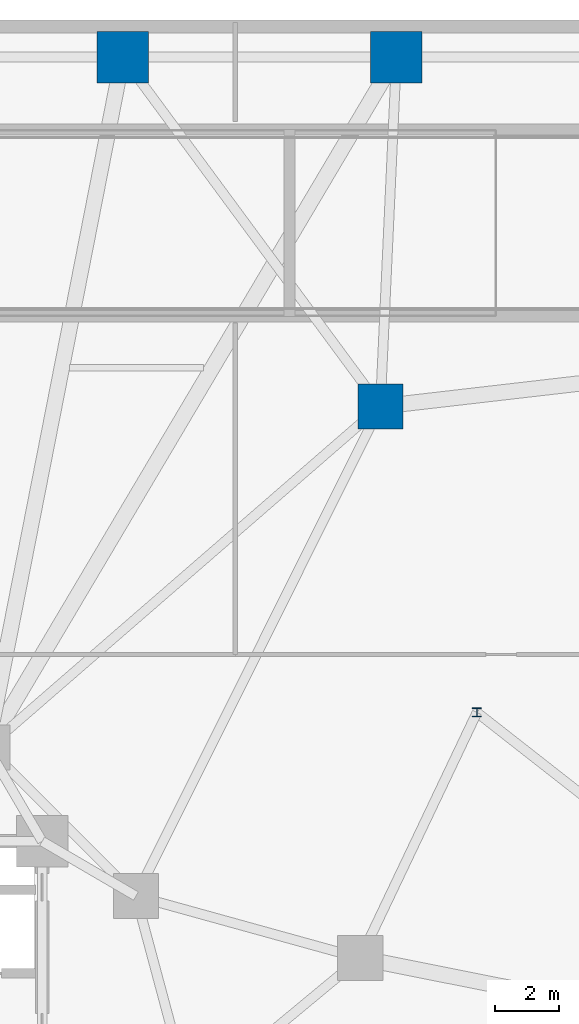
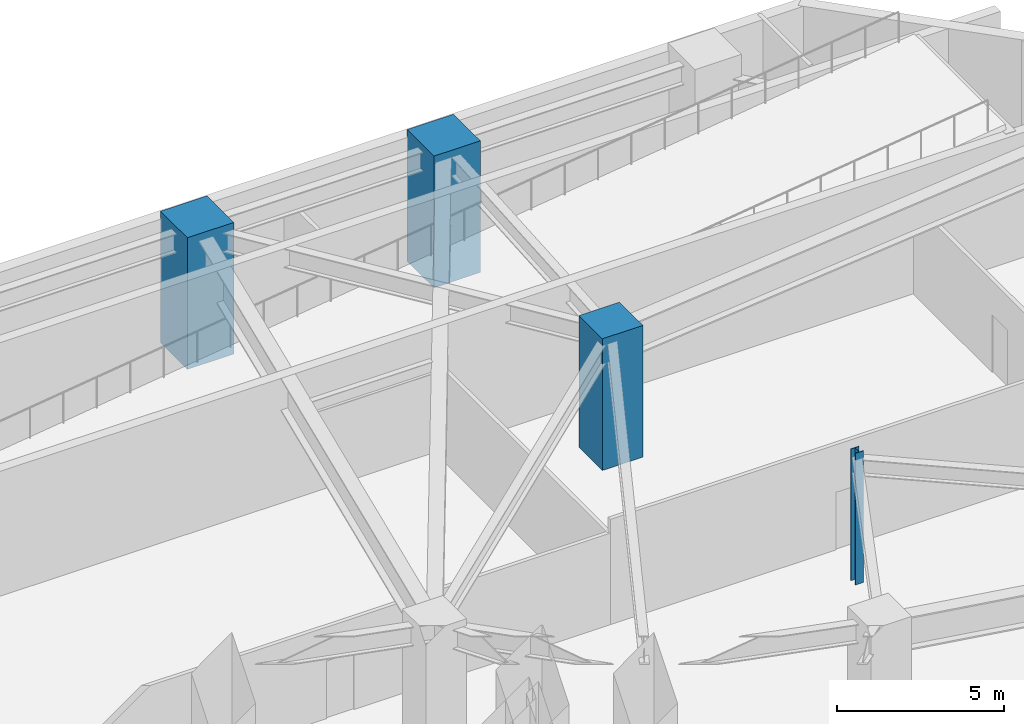
# One storey, part 6 of 18: 4 columns.
"""IFC4 building model written with IfcOpenShell, lengths in metres."""

from ifc_helpers import new_model, si_unit, direction, frame, origin, origin_2d, place, context, subcontext, project, spatial, rectangle, i_section, extrude, material, material_profile, profile_set, type_object, element, save


model = new_model("IFC4")

# Units and contexts
model_context = context("Model", 3, precision=1e-05, world=origin(), true_north=direction((0.0, 1.0)))
body_context = subcontext(model_context, "Body", "Model", "MODEL_VIEW")
ifc_project = project(units=[si_unit("LENGTHUNIT", "METRE"), si_unit("AREAUNIT", "SQUARE_METRE"), si_unit("VOLUMEUNIT", "CUBIC_METRE"), si_unit("PLANEANGLEUNIT", "RADIAN"), si_unit("MASSUNIT", "GRAM", prefix="KILO")], contexts=[model_context])

# Site, building, storey
site_placement = place(None, origin())
site = spatial("IfcSite", under=ifc_project, at=site_placement, CompositionType="ELEMENT")
building_placement = place(site_placement, origin())
building = spatial("IfcBuilding", under=site, at=building_placement, Name="Terralouvre Media Tower", CompositionType="ELEMENT")
storey_placement = place(building_placement, frame((0.0, 0.0, -4.800048828125)))
storey = spatial("IfcBuildingStorey", under=building, at=storey_placement, Name="B01", CompositionType="ELEMENT", Elevation=-4.800048828125)

# Columns
ifc_material_1 = material(Name="Structural steel S355J2", Category="steel")
ifc_material_profile_1 = material_profile(ifc_material_1, i_section(OverallWidth=0.280029296875, OverallDepth=0.280029296875, WebThickness=0.010498046875, FlangeThickness=0.01806640625, at=origin_2d()), Name="HEB 280")
ifc_profile_set_1 = profile_set([ifc_material_profile_1], Name="Structural steel S355J2")
column_type_1 = type_object("IfcColumnType", Name="Basement Aisle Pilaster PL-HEB280 (HEB 280)", PredefinedType="PILASTER", material=ifc_profile_set_1)
column_1_placement = place(storey_placement, frame((21.5, 12.0, 0.0), z_axis=(0.0, 0.0, 1.0), x_axis=(1.0, 0.0, 0.0)))
element("IfcColumn", 1, at=column_1_placement, inside=storey, type_object=column_type_1, Name="B01 Car-Park Aisle Pilaster A4", PredefinedType="PILASTER", context=body_context, shape_type="SweptSolid", body=[
    extrude(i_section(OverallWidth=0.280029296875, OverallDepth=0.280029296875, WebThickness=0.010498046875, FlangeThickness=0.01806640625, at=origin_2d()), origin(), (0.0, 0.0, 1.0), 4.800048828125),
])
ifc_material_2 = material(Name="Concrete C60/75", Category="concrete")
ifc_material_profile_2 = material_profile(ifc_material_2, rectangle(XDim=1.39990234375, YDim=1.39990234375, at=origin_2d()), Name="RC 1400x1400")
ifc_profile_set_2 = profile_set([ifc_material_profile_2], Name="Concrete C60/75")
column_type_2 = type_object("IfcColumnType", Name="Structural Column C-RC1400 (RC 1400x1400)", PredefinedType="COLUMN", material=ifc_profile_set_2)
column_2_placement = place(storey_placement, frame((18.5, 21.5, 0.0), z_axis=(0.0, 0.0, 1.0), x_axis=(1.0, 0.0, 0.0)))
element("IfcColumn", 2, at=column_2_placement, inside=storey, type_object=column_type_2, Name="B01 Podium Transfer Column PM20", PredefinedType="COLUMN", context=body_context, shape_type="SweptSolid", body=[
    extrude(rectangle(XDim=1.39990234375, YDim=1.39990234375, at=origin_2d()), origin(), (0.0, 0.0, 1.0), 4.800048828125),
])
ifc_material_3 = material(Name="Concrete C60/75", Category="concrete")
ifc_material_profile_3 = material_profile(ifc_material_3, rectangle(XDim=1.60009765625, YDim=1.60009765625, at=origin_2d()), Name="RC 1600x1600")
ifc_profile_set_3 = profile_set([ifc_material_profile_3], Name="Concrete C60/75")
column_type_3 = type_object("IfcColumnType", Name="Structural Column C-RC1600 (RC 1600x1600)", PredefinedType="COLUMN", material=ifc_profile_set_3)
for number, where, z_axis, x_axis, name in (
    (3, (19.0, 32.35009765625, 0.0), (0.0, 0.0, 1.0), (1.0, 0.0, 0.0), "B01 Perimeter Mega-Column PM11"),
    (4, (10.5, 32.35009765625, 0.0), (0.0, 0.0, 1.0), (1.0, 0.0, 0.0), "B01 Perimeter Mega-Column PM12"),
):
    element("IfcColumn", number, at=place(storey_placement, frame(where, z_axis=z_axis, x_axis=x_axis)), inside=storey, type_object=column_type_3, Name=name, PredefinedType="COLUMN", context=body_context, shape_type="SweptSolid", body=[
        extrude(rectangle(XDim=1.60009765625, YDim=1.60009765625, at=origin_2d()), origin(), (0.0, 0.0, 1.0), 4.800048828125),
    ])

save(model, "model.ifc")
